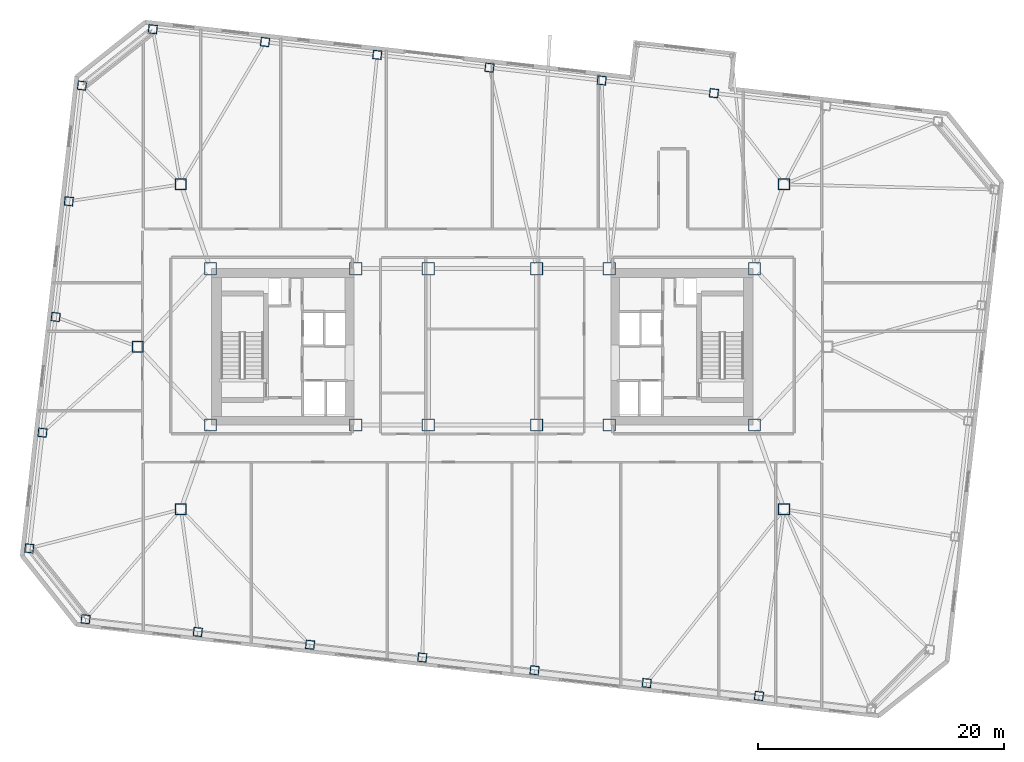
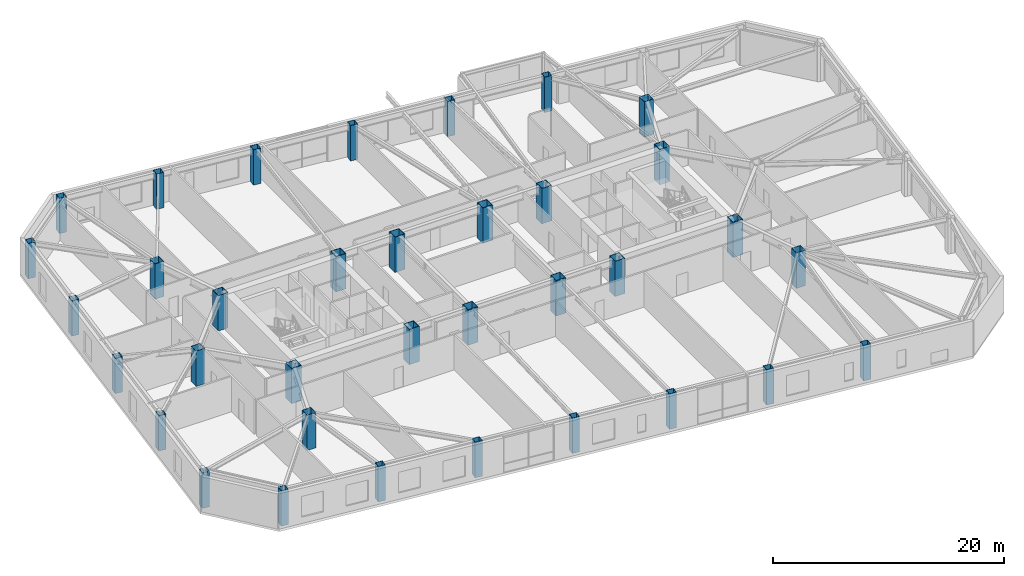
# One storey, part 1 of 21: 35 columns.
"""IFC4 building model written with IfcOpenShell, lengths in metres."""

from ifc_helpers import new_model, si_unit, direction, frame, origin, origin_2d, place, context, subcontext, project, spatial, hollow_rectangle, extrude, material, material_profile, profile_set, type_object, element, save


model = new_model("IFC4")

# Units and contexts
model_context = context("Model", 3, precision=1e-05, world=origin(), true_north=direction((0.0, 1.0)))
body_context = subcontext(model_context, "Body", "Model", "MODEL_VIEW")
ifc_project = project(units=[si_unit("LENGTHUNIT", "METRE"), si_unit("AREAUNIT", "SQUARE_METRE"), si_unit("VOLUMEUNIT", "CUBIC_METRE"), si_unit("PLANEANGLEUNIT", "RADIAN"), si_unit("MASSUNIT", "GRAM", prefix="KILO")], contexts=[model_context])

# Site, building, storey
site_placement = place(None, origin())
site = spatial("IfcSite", under=ifc_project, at=site_placement, CompositionType="ELEMENT")
building_placement = place(site_placement, origin())
building = spatial("IfcBuilding", under=site, at=building_placement, Name="Tavrogorsk Clinical Tower", CompositionType="ELEMENT")
storey_placement = place(building_placement, frame((0.0, 0.0, 121.39990234375)))
storey = spatial("IfcBuildingStorey", under=building, at=storey_placement, Name="L27", CompositionType="ELEMENT", Elevation=121.39990234375)

# Columns
ifc_material_1 = material(Name="Structural steel S440", Category="steel")
ifc_material_profile_1 = material_profile(ifc_material_1, hollow_rectangle(XDim=1.0, YDim=1.0, WallThickness=0.044921875, at=origin_2d()), Name="BOX-1000x1000x45")
ifc_profile_set_1 = profile_set([ifc_material_profile_1], Name="Structural steel S440")
column_type_1 = type_object("IfcColumnType", Name="MegaCol_BOX1000", PredefinedType="COLUMN", material=ifc_profile_set_1)
for number, where, z_axis, x_axis, name in (
    (1, (-22.10009765625, -6.35009765625, 0.0), (0.0, 0.0, 1.0), (1.0, 0.0, 0.0), "L27 Mega Column MC-W1"),
    (2, (-22.10009765625, 6.35009765625, 0.0), (0.0, 0.0, 1.0), (1.0, 0.0, 0.0), "L27 Mega Column MC-W2"),
    (3, (-10.300048828125, -6.35009765625, 0.0), (0.0, 0.0, 1.0), (1.0, 0.0, 0.0), "L27 Mega Column MC-W3"),
    (4, (-10.300048828125, 6.35009765625, 0.0), (0.0, 0.0, 1.0), (1.0, 0.0, 0.0), "L27 Mega Column MC-W4"),
    (5, (10.300048828125, -6.35009765625, 0.0), (0.0, 0.0, 1.0), (1.0, 0.0, 0.0), "L27 Mega Column MC-E1"),
    (6, (10.300048828125, 6.35009765625, 0.0), (0.0, 0.0, 1.0), (1.0, 0.0, 0.0), "L27 Mega Column MC-E2"),
    (7, (22.10009765625, -6.35009765625, 0.0), (0.0, 0.0, 1.0), (1.0, 0.0, 0.0), "L27 Mega Column MC-E3"),
    (8, (22.10009765625, 6.35009765625, 0.0), (0.0, 0.0, 1.0), (1.0, 0.0, 0.0), "L27 Mega Column MC-E4"),
    (9, (-4.39990234375, -6.35009765625, 0.0), (0.0, 0.0, 1.0), (1.0, 0.0, 0.0), "L27 Mega Column MC-C1"),
    (10, (4.39990234375, -6.35009765625, 0.0), (0.0, 0.0, 1.0), (1.0, 0.0, 0.0), "L27 Mega Column MC-C2"),
    (11, (-4.39990234375, 6.35009765625, 0.0), (0.0, 0.0, 1.0), (1.0, 0.0, 0.0), "L27 Mega Column MC-C3"),
    (12, (4.39990234375, 6.35009765625, 0.0), (0.0, 0.0, 1.0), (1.0, 0.0, 0.0), "L27 Mega Column MC-C4"),
):
    element("IfcColumn", number, at=place(storey_placement, frame(where, z_axis=z_axis, x_axis=x_axis)), inside=storey, type_object=column_type_1, Name=name, PredefinedType="COLUMN", context=body_context, shape_type="SweptSolid", body=[
        extrude(hollow_rectangle(XDim=1.0, YDim=1.0, WallThickness=0.044921875, at=origin_2d()), origin(), (0.0, 0.0, 1.0), 3.739990234375),
    ])
ifc_material_2 = material(Name="Structural steel S440", Category="steel")
ifc_material_profile_2 = material_profile(ifc_material_2, hollow_rectangle(XDim=0.89990234375, YDim=0.89990234375, WallThickness=0.0400390625, at=origin_2d()), Name="BOX-900x900x40")
ifc_profile_set_2 = profile_set([ifc_material_profile_2], Name="Structural steel S440")
column_type_2 = type_object("IfcColumnType", Name="MegaCol_BOX900", PredefinedType="COLUMN", material=ifc_profile_set_2)
for number, where, z_axis, x_axis, name in (
    (13, (-24.5, -13.199951171875, 0.0), (0.0, 0.0, 1.0), (1.0, 0.0, 0.0), "L27 Spine Pilotis Column MC-P1"),
    (14, (24.5, -13.199951171875, 0.0), (0.0, 0.0, 1.0), (1.0, 0.0, 0.0), "L27 Spine Pilotis Column MC-P2"),
    (15, (-24.5, 13.199951171875, 0.0), (0.0, 0.0, 1.0), (1.0, 0.0, 0.0), "L27 Spine Pilotis Column MC-P3"),
    (16, (24.5, 13.199951171875, 0.0), (0.0, 0.0, 1.0), (1.0, 0.0, 0.0), "L27 Spine Pilotis Column MC-P4"),
    (17, (-28.0, 0.0, 0.0), (0.0, 0.0, 1.0), (1.0, 0.0, 0.0), "L27 Spine Pilotis Column MC-P5"),
):
    element("IfcColumn", number, at=place(storey_placement, frame(where, z_axis=z_axis, x_axis=x_axis)), inside=storey, type_object=column_type_2, Name=name, PredefinedType="COLUMN", context=body_context, shape_type="SweptSolid", body=[
        extrude(hollow_rectangle(XDim=0.89990234375, YDim=0.89990234375, WallThickness=0.0400390625, at=origin_2d()), origin(), (0.0, 0.0, 1.0), 3.739990234375),
    ])
ifc_material_3 = material(Name="Structural steel S440", Category="steel")
ifc_material_profile_3 = material_profile(ifc_material_3, hollow_rectangle(XDim=0.699951171875, YDim=0.699951171875, WallThickness=0.031982421875, at=origin_2d()), Name="BOX-700x700x32")
ifc_profile_set_3 = profile_set([ifc_material_profile_3], Name="Structural steel S440")
column_type_3 = type_object("IfcColumnType", Name="PerimCol_B2_BOX700", PredefinedType="COLUMN", material=ifc_profile_set_3)
for number, where, z_axis, x_axis, name in (
    (18, (-32.243896484375, -22.12890625, 0.0), (0.0, 0.0, 1.0), (0.993571855677, -0.113203213768, 0.0), "L27 Perimeter Column S1"),
    (19, (-23.1259765625, -23.167724609375, 0.0), (0.0, 0.0, 1.0), (0.993571855677, -0.113203213768, 0.0), "L27 Perimeter Column S2"),
    (20, (-14.0078125, -24.20654296875, 0.0), (0.0, 0.0, 1.0), (0.993571855677, -0.113203213768, 0.0), "L27 Perimeter Column S3"),
    (21, (-4.8896484375, -25.24560546875, 0.0), (0.0, 0.0, 1.0), (0.993571855677, -0.113203213768, 0.0), "L27 Perimeter Column S4"),
    (22, (4.228515625, -26.284423828125, 0.0), (0.0, 0.0, 1.0), (0.993571855677, -0.113203213768, 0.0), "L27 Perimeter Column S5"),
    (23, (13.3466796875, -27.3232421875, 0.0), (0.0, 0.0, 1.0), (0.993571855677, -0.113203213768, 0.0), "L27 Perimeter Column S6"),
    (24, (22.465087890625, -28.3623046875, 0.0), (0.0, 0.0, 1.0), (0.993571855677, -0.113203213768, 0.0), "L27 Perimeter Column S7"),
    (25, (18.8076171875, 20.606689453125, 0.0), (0.0, 0.0, 1.0), (0.993571855677, -0.113203213768, 0.0), "L27 Perimeter Column N3"),
    (26, (9.689697265625, 21.6455078125, 0.0), (0.0, 0.0, 1.0), (0.993571855677, -0.113203213768, 0.0), "L27 Perimeter Column N4"),
    (27, (0.5712890625, 22.684326171875, 0.0), (0.0, 0.0, 1.0), (0.993571855677, -0.113203213768, 0.0), "L27 Perimeter Column N5"),
    (28, (-8.546875, 23.723388671875, 0.0), (0.0, 0.0, 1.0), (0.993571855677, -0.113203213768, 0.0), "L27 Perimeter Column N6"),
    (29, (-17.6650390625, 24.76220703125, 0.0), (0.0, 0.0, 1.0), (0.993571855677, -0.113203213768, 0.0), "L27 Perimeter Column N7"),
    (30, (-26.783203125, 25.801025390625, 0.0), (0.0, 0.0, 1.0), (0.993571855677, -0.113203213768, 0.0), "L27 Perimeter Column N8"),
    (31, (-32.538330078125, 21.22314453125, 0.0), (0.0, 0.0, 1.0), (0.993571855677, -0.113203213768, 0.0), "L27 Perimeter Column W1"),
    (32, (-33.609130859375, 11.823974609375, 0.0), (0.0, 0.0, 1.0), (0.993571855677, -0.113203213768, 0.0), "L27 Perimeter Column W2"),
    (33, (-34.68017578125, 2.4248046875, 0.0), (0.0, 0.0, 1.0), (0.993571855677, -0.113203213768, 0.0), "L27 Perimeter Column W3"),
    (34, (-35.7509765625, -6.974365234375, 0.0), (0.0, 0.0, 1.0), (0.993571855677, -0.113203213768, 0.0), "L27 Perimeter Column W4"),
    (35, (-36.822021484375, -16.37353515625, 0.0), (0.0, 0.0, 1.0), (0.993571855677, -0.113203213768, 0.0), "L27 Perimeter Column W5"),
):
    element("IfcColumn", number, at=place(storey_placement, frame(where, z_axis=z_axis, x_axis=x_axis)), inside=storey, type_object=column_type_3, Name=name, PredefinedType="COLUMN", context=body_context, shape_type="SweptSolid", body=[
        extrude(hollow_rectangle(XDim=0.699951171875, YDim=0.699951171875, WallThickness=0.031982421875, at=origin_2d()), origin(), (0.0, 0.0, 1.0), 3.739990234375),
    ])

save(model, "model.ifc")
